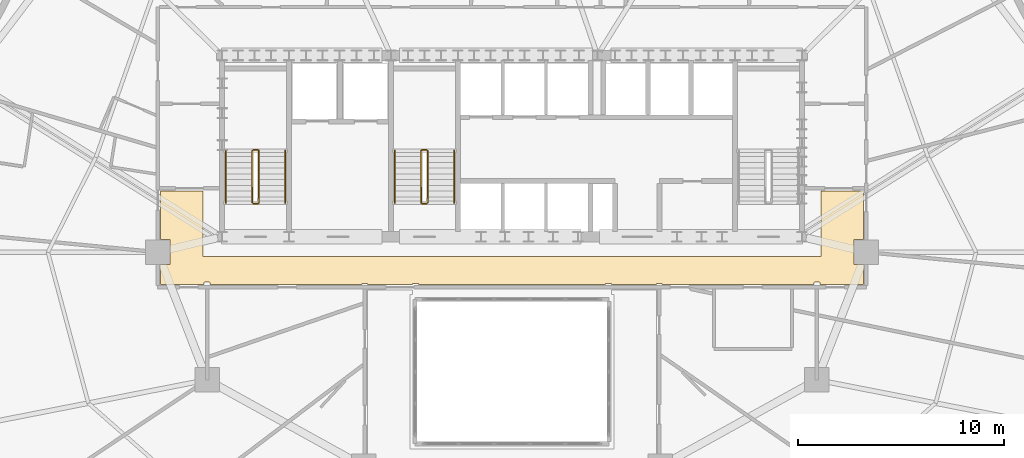
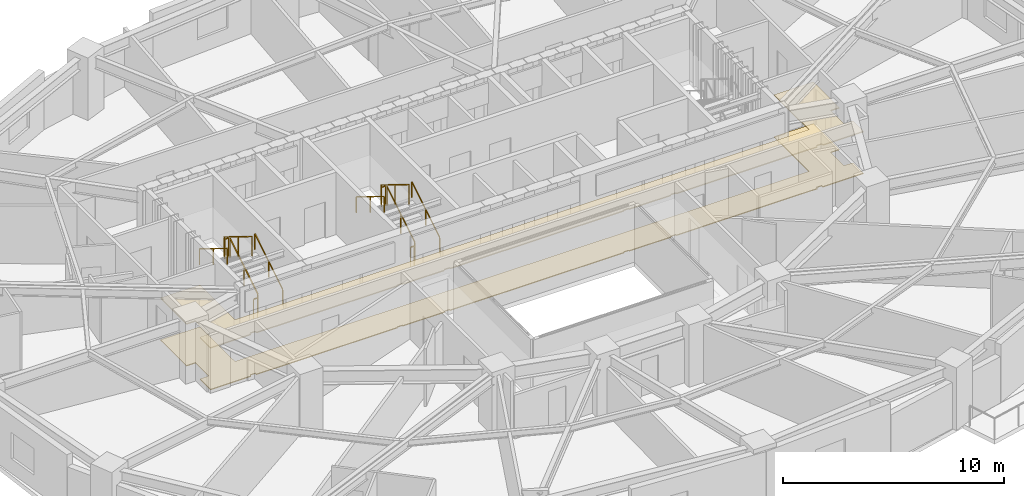
# One storey, part 13 of 14: 12 railings, 2 coverings.
"""IFC4 building model written with IfcOpenShell, lengths in metres."""

from ifc_helpers import new_model, si_unit, direction, frame, origin, origin_2d, place, context, subcontext, project, spatial, polyline, rectangle, outline, extrude, material, layer, layer_set, type_object, element, save


model = new_model("IFC4")

# Units and contexts
model_context = context("Model", 3, precision=1e-05, world=origin(), true_north=direction((0.0, 1.0)))
body_context = subcontext(model_context, "Body", "Model", "MODEL_VIEW")
ifc_project = project(units=[si_unit("LENGTHUNIT", "METRE"), si_unit("AREAUNIT", "SQUARE_METRE"), si_unit("VOLUMEUNIT", "CUBIC_METRE"), si_unit("PLANEANGLEUNIT", "RADIAN"), si_unit("MASSUNIT", "GRAM", prefix="KILO")], contexts=[model_context])

# Site, building, storey
site_placement = place(None, origin())
site = spatial("IfcSite", under=ifc_project, at=site_placement, CompositionType="ELEMENT")
building_placement = place(site_placement, origin())
building = spatial("IfcBuilding", under=site, at=building_placement, Name="Haldorwick Loom Tower", CompositionType="ELEMENT")
storey_placement = place(building_placement, frame((0.0, 0.0, 99.050048828125)))
storey = spatial("IfcBuildingStorey", under=building, at=storey_placement, Name="L26", CompositionType="ELEMENT", Elevation=99.050048828125)

# Coverings
ifc_material_1 = material(Name="Mineral Fibre Acoustic Ceiling Tile")
ifc_layer_1 = layer(ifc_material_1, 0.054931640625, Name="Mineral Fibre Acoustic Ceiling Tile")
ifc_layer_set_1 = layer_set([ifc_layer_1], Name="Mineral Fibre Acoustic Ceiling Tile")
covering_type_1 = type_object("IfcCoveringType", Name="ARC-COV-CEIL2", PredefinedType="CEILING", material=ifc_layer_set_1)
covering_1_placement = place(storey_placement, frame((0.0, 0.0, 2.302001953125)))
element("IfcCovering", 1, at=covering_1_placement, inside=storey, type_object=covering_type_1, Name="L26 Acoustic Suspended Ceiling 2", PredefinedType="CEILING", context=body_context, shape_type="SweptSolid", body=[
    extrude(outline(polyline([(51.0, 28.9599609375), (51.0, 25.800048828125), (21.0, 25.800048828125), (21.0, 28.9599609375), (18.93994140625, 28.9599609375), (18.93994140625, 26.60791015625), (19.407958984375, 26.60791015625), (19.407958984375, 25.39208984375), (18.93994140625, 25.39208984375), (18.93994140625, 24.43994140625), (21.06005859375, 24.43994140625), (21.06005859375, 24.52001953125), (21.06005859375, 24.52197265625), (21.060302734375, 24.52392578125), (21.060791015625, 24.52587890625), (21.0615234375, 24.527587890625), (21.0625, 24.529296875), (21.0634765625, 24.531005859375), (21.064453125, 24.53271484375), (21.06591796875, 24.5341796875), (21.0673828125, 24.535400390625), (21.06884765625, 24.53662109375), (21.070556640625, 24.53759765625), (21.072265625, 24.53857421875), (21.07421875, 24.5390625), (21.076171875, 24.53955078125), (21.077880859375, 24.539794921875), (21.080078125, 24.5400390625), (21.320068359375, 24.5400390625), (21.322021484375, 24.539794921875), (21.323974609375, 24.53955078125), (21.32568359375, 24.5390625), (21.32763671875, 24.53857421875), (21.329345703125, 24.53759765625), (21.3310546875, 24.53662109375), (21.332763671875, 24.535400390625), (21.333984375, 24.5341796875), (21.33544921875, 24.53271484375), (21.336669921875, 24.531005859375), (21.337646484375, 24.529296875), (21.33837890625, 24.527587890625), (21.339111328125, 24.52587890625), (21.339599609375, 24.52392578125), (21.33984375, 24.52197265625), (21.340087890625, 24.52001953125), (21.340087890625, 24.43994140625), (28.7099609375, 24.43994140625), (28.7099609375, 24.469970703125), (28.710205078125, 24.471923828125), (28.71044921875, 24.473876953125), (28.7109375, 24.475830078125), (28.71142578125, 24.477783203125), (28.71240234375, 24.4794921875), (28.71337890625, 24.481201171875), (28.714599609375, 24.482666015625), (28.7158203125, 24.484130859375), (28.71728515625, 24.485595703125), (28.718994140625, 24.486572265625), (28.720703125, 24.487548828125), (28.722412109375, 24.488525390625), (28.72412109375, 24.489013671875), (28.72607421875, 24.489501953125), (28.72802734375, 24.489990234375), (28.72998046875, 24.489990234375), (28.969970703125, 24.489990234375), (28.971923828125, 24.489990234375), (28.973876953125, 24.489501953125), (28.975830078125, 24.489013671875), (28.977783203125, 24.488525390625), (28.9794921875, 24.487548828125), (28.981201171875, 24.486572265625), (28.982666015625, 24.485595703125), (28.984130859375, 24.484130859375), (28.985595703125, 24.482666015625), (28.986572265625, 24.481201171875), (28.987548828125, 24.4794921875), (28.988525390625, 24.477783203125), (28.989013671875, 24.475830078125), (28.989501953125, 24.473876953125), (28.989990234375, 24.471923828125), (28.989990234375, 24.469970703125), (28.989990234375, 24.43994140625), (31.179931640625, 24.43994140625), (31.179931640625, 24.469970703125), (31.18017578125, 24.471923828125), (31.180419921875, 24.473876953125), (31.180908203125, 24.475830078125), (31.181396484375, 24.477783203125), (31.182373046875, 24.4794921875), (31.183349609375, 24.481201171875), (31.1845703125, 24.482666015625), (31.185791015625, 24.484130859375), (31.187255859375, 24.485595703125), (31.18896484375, 24.486572265625), (31.190673828125, 24.487548828125), (31.1923828125, 24.488525390625), (31.194091796875, 24.489013671875), (31.196044921875, 24.489501953125), (31.197998046875, 24.489990234375), (31.199951171875, 24.489990234375), (31.43994140625, 24.489990234375), (31.44189453125, 24.489990234375), (31.44384765625, 24.489501953125), (31.44580078125, 24.489013671875), (31.44775390625, 24.488525390625), (31.449462890625, 24.487548828125), (31.451171875, 24.486572265625), (31.45263671875, 24.485595703125), (31.4541015625, 24.484130859375), (31.45556640625, 24.482666015625), (31.45654296875, 24.481201171875), (31.45751953125, 24.4794921875), (31.45849609375, 24.477783203125), (31.458984375, 24.475830078125), (31.459716796875, 24.473876953125), (31.4599609375, 24.471923828125), (31.4599609375, 24.469970703125), (31.4599609375, 24.43994140625), (40.5400390625, 24.43994140625), (40.5400390625, 24.469970703125), (40.5400390625, 24.471923828125), (40.540283203125, 24.473876953125), (40.541015625, 24.475830078125), (40.54150390625, 24.477783203125), (40.54248046875, 24.4794921875), (40.54345703125, 24.481201171875), (40.54443359375, 24.482666015625), (40.5458984375, 24.484130859375), (40.54736328125, 24.485595703125), (40.548828125, 24.486572265625), (40.550537109375, 24.487548828125), (40.55224609375, 24.488525390625), (40.55419921875, 24.489013671875), (40.55615234375, 24.489501953125), (40.55810546875, 24.489990234375), (40.56005859375, 24.489990234375), (40.800048828125, 24.489990234375), (40.802001953125, 24.489990234375), (40.803955078125, 24.489501953125), (40.805908203125, 24.489013671875), (40.8076171875, 24.488525390625), (40.809326171875, 24.487548828125), (40.81103515625, 24.486572265625), (40.812744140625, 24.485595703125), (40.814208984375, 24.484130859375), (40.8154296875, 24.482666015625), (40.816650390625, 24.481201171875), (40.817626953125, 24.4794921875), (40.818603515625, 24.477783203125), (40.819091796875, 24.475830078125), (40.819580078125, 24.473876953125), (40.81982421875, 24.471923828125), (40.820068359375, 24.469970703125), (40.820068359375, 24.43994140625), (43.010009765625, 24.43994140625), (43.010009765625, 24.469970703125), (43.010009765625, 24.471923828125), (43.010498046875, 24.473876953125), (43.010986328125, 24.475830078125), (43.011474609375, 24.477783203125), (43.012451171875, 24.4794921875), (43.013427734375, 24.481201171875), (43.014404296875, 24.482666015625), (43.015869140625, 24.484130859375), (43.017333984375, 24.485595703125), (43.018798828125, 24.486572265625), (43.0205078125, 24.487548828125), (43.022216796875, 24.488525390625), (43.024169921875, 24.489013671875), (43.026123046875, 24.489501953125), (43.028076171875, 24.489990234375), (43.030029296875, 24.489990234375), (43.27001953125, 24.489990234375), (43.27197265625, 24.489990234375), (43.27392578125, 24.489501953125), (43.27587890625, 24.489013671875), (43.277587890625, 24.488525390625), (43.279296875, 24.487548828125), (43.281005859375, 24.486572265625), (43.28271484375, 24.485595703125), (43.2841796875, 24.484130859375), (43.285400390625, 24.482666015625), (43.28662109375, 24.481201171875), (43.28759765625, 24.4794921875), (43.28857421875, 24.477783203125), (43.2890625, 24.475830078125), (43.28955078125, 24.473876953125), (43.289794921875, 24.471923828125), (43.2900390625, 24.469970703125), (43.2900390625, 24.43994140625), (50.659912109375, 24.43994140625), (50.659912109375, 24.52001953125), (50.66015625, 24.52197265625), (50.660400390625, 24.52392578125), (50.660888671875, 24.52587890625), (50.66162109375, 24.527587890625), (50.662353515625, 24.529296875), (50.663330078125, 24.531005859375), (50.66455078125, 24.53271484375), (50.666015625, 24.5341796875), (50.667236328125, 24.535400390625), (50.6689453125, 24.53662109375), (50.670654296875, 24.53759765625), (50.67236328125, 24.53857421875), (50.67431640625, 24.5390625), (50.676025390625, 24.53955078125), (50.677978515625, 24.539794921875), (50.679931640625, 24.5400390625), (50.919921875, 24.5400390625), (50.922119140625, 24.539794921875), (50.923828125, 24.53955078125), (50.92578125, 24.5390625), (50.927734375, 24.53857421875), (50.929443359375, 24.53759765625), (50.93115234375, 24.53662109375), (50.9326171875, 24.535400390625), (50.93408203125, 24.5341796875), (50.935546875, 24.53271484375), (50.9365234375, 24.531005859375), (50.9375, 24.529296875), (50.9384765625, 24.527587890625), (50.939208984375, 24.52587890625), (50.939697265625, 24.52392578125), (50.93994140625, 24.52197265625), (50.93994140625, 24.52001953125), (50.93994140625, 24.43994140625), (53.06005859375, 24.43994140625), (53.06005859375, 25.39208984375), (52.592041015625, 25.39208984375), (52.592041015625, 26.60791015625), (53.06005859375, 26.60791015625), (53.06005859375, 28.9599609375), (51.0, 28.9599609375)])), origin(), (0.0, 0.0, 1.0), 0.054931640625),
])
ifc_material_2 = material(Name="Polished Aggregate Terrazzo Finish")
ifc_layer_2 = layer(ifc_material_2, 0.044921875, Name="Polished Aggregate Terrazzo Finish")
ifc_layer_set_2 = layer_set([ifc_layer_2], Name="Polished Aggregate Terrazzo Finish")
covering_type_2 = type_object("IfcCoveringType", Name="ARC-COV-FLOOR2", PredefinedType="FLOORING", material=ifc_layer_set_2)
covering_2_placement = place(storey_placement, origin())
element("IfcCovering", 2, at=covering_2_placement, inside=storey, type_object=covering_type_2, Name="L26 Floor Finish 2", PredefinedType="FLOORING", context=body_context, shape_type="SweptSolid", body=[
    extrude(outline(polyline([(51.0, 28.9599609375), (51.0, 25.800048828125), (21.0, 25.800048828125), (21.0, 28.9599609375), (18.93994140625, 28.9599609375), (18.93994140625, 26.60791015625), (19.407958984375, 26.60791015625), (19.407958984375, 25.39208984375), (18.93994140625, 25.39208984375), (18.93994140625, 24.43994140625), (21.06005859375, 24.43994140625), (21.06005859375, 24.52001953125), (21.06005859375, 24.52197265625), (21.060302734375, 24.52392578125), (21.060791015625, 24.52587890625), (21.0615234375, 24.527587890625), (21.0625, 24.529296875), (21.0634765625, 24.531005859375), (21.064453125, 24.53271484375), (21.06591796875, 24.5341796875), (21.0673828125, 24.535400390625), (21.06884765625, 24.53662109375), (21.070556640625, 24.53759765625), (21.072265625, 24.53857421875), (21.07421875, 24.5390625), (21.076171875, 24.53955078125), (21.077880859375, 24.539794921875), (21.080078125, 24.5400390625), (21.320068359375, 24.5400390625), (21.322021484375, 24.539794921875), (21.323974609375, 24.53955078125), (21.32568359375, 24.5390625), (21.32763671875, 24.53857421875), (21.329345703125, 24.53759765625), (21.3310546875, 24.53662109375), (21.332763671875, 24.535400390625), (21.333984375, 24.5341796875), (21.33544921875, 24.53271484375), (21.336669921875, 24.531005859375), (21.337646484375, 24.529296875), (21.33837890625, 24.527587890625), (21.339111328125, 24.52587890625), (21.339599609375, 24.52392578125), (21.33984375, 24.52197265625), (21.340087890625, 24.52001953125), (21.340087890625, 24.43994140625), (28.7099609375, 24.43994140625), (28.7099609375, 24.469970703125), (28.710205078125, 24.471923828125), (28.71044921875, 24.473876953125), (28.7109375, 24.475830078125), (28.71142578125, 24.477783203125), (28.71240234375, 24.4794921875), (28.71337890625, 24.481201171875), (28.714599609375, 24.482666015625), (28.7158203125, 24.484130859375), (28.71728515625, 24.485595703125), (28.718994140625, 24.486572265625), (28.720703125, 24.487548828125), (28.722412109375, 24.488525390625), (28.72412109375, 24.489013671875), (28.72607421875, 24.489501953125), (28.72802734375, 24.489990234375), (28.72998046875, 24.489990234375), (28.969970703125, 24.489990234375), (28.971923828125, 24.489990234375), (28.973876953125, 24.489501953125), (28.975830078125, 24.489013671875), (28.977783203125, 24.488525390625), (28.9794921875, 24.487548828125), (28.981201171875, 24.486572265625), (28.982666015625, 24.485595703125), (28.984130859375, 24.484130859375), (28.985595703125, 24.482666015625), (28.986572265625, 24.481201171875), (28.987548828125, 24.4794921875), (28.988525390625, 24.477783203125), (28.989013671875, 24.475830078125), (28.989501953125, 24.473876953125), (28.989990234375, 24.471923828125), (28.989990234375, 24.469970703125), (28.989990234375, 24.43994140625), (31.179931640625, 24.43994140625), (31.179931640625, 24.469970703125), (31.18017578125, 24.471923828125), (31.180419921875, 24.473876953125), (31.180908203125, 24.475830078125), (31.181396484375, 24.477783203125), (31.182373046875, 24.4794921875), (31.183349609375, 24.481201171875), (31.1845703125, 24.482666015625), (31.185791015625, 24.484130859375), (31.187255859375, 24.485595703125), (31.18896484375, 24.486572265625), (31.190673828125, 24.487548828125), (31.1923828125, 24.488525390625), (31.194091796875, 24.489013671875), (31.196044921875, 24.489501953125), (31.197998046875, 24.489990234375), (31.199951171875, 24.489990234375), (31.43994140625, 24.489990234375), (31.44189453125, 24.489990234375), (31.44384765625, 24.489501953125), (31.44580078125, 24.489013671875), (31.44775390625, 24.488525390625), (31.449462890625, 24.487548828125), (31.451171875, 24.486572265625), (31.45263671875, 24.485595703125), (31.4541015625, 24.484130859375), (31.45556640625, 24.482666015625), (31.45654296875, 24.481201171875), (31.45751953125, 24.4794921875), (31.45849609375, 24.477783203125), (31.458984375, 24.475830078125), (31.459716796875, 24.473876953125), (31.4599609375, 24.471923828125), (31.4599609375, 24.469970703125), (31.4599609375, 24.43994140625), (40.5400390625, 24.43994140625), (40.5400390625, 24.469970703125), (40.5400390625, 24.471923828125), (40.540283203125, 24.473876953125), (40.541015625, 24.475830078125), (40.54150390625, 24.477783203125), (40.54248046875, 24.4794921875), (40.54345703125, 24.481201171875), (40.54443359375, 24.482666015625), (40.5458984375, 24.484130859375), (40.54736328125, 24.485595703125), (40.548828125, 24.486572265625), (40.550537109375, 24.487548828125), (40.55224609375, 24.488525390625), (40.55419921875, 24.489013671875), (40.55615234375, 24.489501953125), (40.55810546875, 24.489990234375), (40.56005859375, 24.489990234375), (40.800048828125, 24.489990234375), (40.802001953125, 24.489990234375), (40.803955078125, 24.489501953125), (40.805908203125, 24.489013671875), (40.8076171875, 24.488525390625), (40.809326171875, 24.487548828125), (40.81103515625, 24.486572265625), (40.812744140625, 24.485595703125), (40.814208984375, 24.484130859375), (40.8154296875, 24.482666015625), (40.816650390625, 24.481201171875), (40.817626953125, 24.4794921875), (40.818603515625, 24.477783203125), (40.819091796875, 24.475830078125), (40.819580078125, 24.473876953125), (40.81982421875, 24.471923828125), (40.820068359375, 24.469970703125), (40.820068359375, 24.43994140625), (43.010009765625, 24.43994140625), (43.010009765625, 24.469970703125), (43.010009765625, 24.471923828125), (43.010498046875, 24.473876953125), (43.010986328125, 24.475830078125), (43.011474609375, 24.477783203125), (43.012451171875, 24.4794921875), (43.013427734375, 24.481201171875), (43.014404296875, 24.482666015625), (43.015869140625, 24.484130859375), (43.017333984375, 24.485595703125), (43.018798828125, 24.486572265625), (43.0205078125, 24.487548828125), (43.022216796875, 24.488525390625), (43.024169921875, 24.489013671875), (43.026123046875, 24.489501953125), (43.028076171875, 24.489990234375), (43.030029296875, 24.489990234375), (43.27001953125, 24.489990234375), (43.27197265625, 24.489990234375), (43.27392578125, 24.489501953125), (43.27587890625, 24.489013671875), (43.277587890625, 24.488525390625), (43.279296875, 24.487548828125), (43.281005859375, 24.486572265625), (43.28271484375, 24.485595703125), (43.2841796875, 24.484130859375), (43.285400390625, 24.482666015625), (43.28662109375, 24.481201171875), (43.28759765625, 24.4794921875), (43.28857421875, 24.477783203125), (43.2890625, 24.475830078125), (43.28955078125, 24.473876953125), (43.289794921875, 24.471923828125), (43.2900390625, 24.469970703125), (43.2900390625, 24.43994140625), (50.659912109375, 24.43994140625), (50.659912109375, 24.52001953125), (50.66015625, 24.52197265625), (50.660400390625, 24.52392578125), (50.660888671875, 24.52587890625), (50.66162109375, 24.527587890625), (50.662353515625, 24.529296875), (50.663330078125, 24.531005859375), (50.66455078125, 24.53271484375), (50.666015625, 24.5341796875), (50.667236328125, 24.535400390625), (50.6689453125, 24.53662109375), (50.670654296875, 24.53759765625), (50.67236328125, 24.53857421875), (50.67431640625, 24.5390625), (50.676025390625, 24.53955078125), (50.677978515625, 24.539794921875), (50.679931640625, 24.5400390625), (50.919921875, 24.5400390625), (50.922119140625, 24.539794921875), (50.923828125, 24.53955078125), (50.92578125, 24.5390625), (50.927734375, 24.53857421875), (50.929443359375, 24.53759765625), (50.93115234375, 24.53662109375), (50.9326171875, 24.535400390625), (50.93408203125, 24.5341796875), (50.935546875, 24.53271484375), (50.9365234375, 24.531005859375), (50.9375, 24.529296875), (50.9384765625, 24.527587890625), (50.939208984375, 24.52587890625), (50.939697265625, 24.52392578125), (50.93994140625, 24.52197265625), (50.93994140625, 24.52001953125), (50.93994140625, 24.43994140625), (53.06005859375, 24.43994140625), (53.06005859375, 25.39208984375), (52.592041015625, 25.39208984375), (52.592041015625, 26.60791015625), (53.06005859375, 26.60791015625), (53.06005859375, 28.9599609375), (51.0, 28.9599609375)])), origin(), (0.0, 0.0, 1.0), 0.044921875),
])

# Railings
ifc_material_3 = material(Name="Steel CSA G40.21 350W", Category="steel")
railing_type_1 = type_object("IfcRailingType", Name="ARC-RLG-GUARD112", PredefinedType="GUARDRAIL", material=ifc_material_3)
railing_1_placement = place(storey_placement, frame((23.699951171875, 28.39990234375, 0.17236328125)))
element("IfcRailing", 3, at=railing_1_placement, inside=storey, type_object=railing_type_1, Name="L26 ST-01 stair guard 1", PredefinedType="GUARDRAIL", context=body_context, shape_type="SweptSolid", body=[
    extrude(rectangle(XDim=0.048095703125, YDim=0.048095703125, at=origin_2d()), frame((0.0, 0.0, 1.076171875), z_axis=(0.0, 0.851400495292, 0.524516154772), x_axis=(-1.0, 0.0, 0.0)), (0.0, 0.0, 1.0), 2.9599609375),
    extrude(rectangle(XDim=0.0419921875, YDim=0.0419921875, at=origin_2d()), origin(), (0.0, 0.0, 1.0), 1.052001953125),
    extrude(rectangle(XDim=0.0419921875, YDim=0.0419921875, at=origin_2d()), frame((0.0, 1.260009765625, 0.7763671875)), (0.0, 0.0, 1.0), 1.052001953125),
    extrude(rectangle(XDim=0.0419921875, YDim=0.0419921875, at=origin_2d()), frame((0.0, 2.52001953125, 1.552490234375)), (0.0, 0.0, 1.0), 1.052001953125),
])
railing_2_placement = place(storey_placement, frame((23.64990234375, 30.969970703125, 1.724853515625)))
element("IfcRailing", 4, at=railing_2_placement, inside=storey, type_object=railing_type_1, Name="L26 ST-01 stair guard 2", PredefinedType="GUARDRAIL", context=body_context, shape_type="SweptSolid", body=[
    extrude(rectangle(XDim=0.048095703125, YDim=0.048095703125, at=origin_2d()), frame((0.0, 0.0, 1.076171875), z_axis=(-1.0, 0.0, 0.0), x_axis=(0.0, -1.0, 0.0)), (0.0, 0.0, 1.0), 0.199951171875),
    extrude(rectangle(XDim=0.0419921875, YDim=0.0419921875, at=origin_2d()), origin(), (0.0, 0.0, 1.0), 1.052001953125),
    extrude(rectangle(XDim=0.0419921875, YDim=0.0419921875, at=origin_2d()), frame((-0.199951171875, 0.0, 0.0)), (0.0, 0.0, 1.0), 1.052001953125),
])
railing_3_placement = place(storey_placement, frame((23.39990234375, 30.919921875, 1.8974609375)))
element("IfcRailing", 5, at=railing_3_placement, inside=storey, type_object=railing_type_1, Name="L26 ST-01 stair guard 3", PredefinedType="GUARDRAIL", context=body_context, shape_type="SweptSolid", body=[
    extrude(rectangle(XDim=0.048095703125, YDim=0.048095703125, at=origin_2d()), frame((0.0, 0.0, 1.076171875), z_axis=(0.0, -0.851400495292, 0.524516154772), x_axis=(1.0, 0.0, 0.0)), (0.0, 0.0, 1.0), 2.9599609375),
    extrude(rectangle(XDim=0.0419921875, YDim=0.0419921875, at=origin_2d()), origin(), (0.0, 0.0, 1.0), 1.052001953125),
    extrude(rectangle(XDim=0.0419921875, YDim=0.0419921875, at=origin_2d()), frame((0.0, -1.260009765625, 0.7763671875)), (0.0, 0.0, 1.0), 1.052001953125),
    extrude(rectangle(XDim=0.0419921875, YDim=0.0419921875, at=origin_2d()), frame((0.0, -2.52001953125, 1.552490234375)), (0.0, 0.0, 1.0), 1.052001953125),
])
railing_4_placement = place(storey_placement, frame((23.64990234375, 28.35009765625, 0.0)))
element("IfcRailing", 6, at=railing_4_placement, inside=storey, type_object=railing_type_1, Name="L26 ST-01 stair guard 4", PredefinedType="GUARDRAIL", context=body_context, shape_type="SweptSolid", body=[
    extrude(rectangle(XDim=0.048095703125, YDim=0.048095703125, at=origin_2d()), frame((0.0, 0.0, 1.076171875), z_axis=(-1.0, 0.0, 0.0), x_axis=(0.0, -1.0, 0.0)), (0.0, 0.0, 1.0), 0.199951171875),
    extrude(rectangle(XDim=0.0419921875, YDim=0.0419921875, at=origin_2d()), origin(), (0.0, 0.0, 1.0), 1.052001953125),
    extrude(rectangle(XDim=0.0419921875, YDim=0.0419921875, at=origin_2d()), frame((-0.199951171875, 0.0, 0.0)), (0.0, 0.0, 1.0), 1.052001953125),
])
railing_5_placement = place(storey_placement, frame((31.89990234375, 28.39990234375, 0.17236328125)))
element("IfcRailing", 7, at=railing_5_placement, inside=storey, type_object=railing_type_1, Name="L26 ST-03 stair guard 1", PredefinedType="GUARDRAIL", context=body_context, shape_type="SweptSolid", body=[
    extrude(rectangle(XDim=0.048095703125, YDim=0.048095703125, at=origin_2d()), frame((0.0, 0.0, 1.076171875), z_axis=(0.0, 0.851400495292, 0.524516154772), x_axis=(-1.0, 0.0, 0.0)), (0.0, 0.0, 1.0), 2.9599609375),
    extrude(rectangle(XDim=0.0419921875, YDim=0.0419921875, at=origin_2d()), origin(), (0.0, 0.0, 1.0), 1.052001953125),
    extrude(rectangle(XDim=0.0419921875, YDim=0.0419921875, at=origin_2d()), frame((0.0, 1.260009765625, 0.7763671875)), (0.0, 0.0, 1.0), 1.052001953125),
    extrude(rectangle(XDim=0.0419921875, YDim=0.0419921875, at=origin_2d()), frame((0.0, 2.52001953125, 1.552490234375)), (0.0, 0.0, 1.0), 1.052001953125),
])
railing_6_placement = place(storey_placement, frame((31.85009765625, 30.969970703125, 1.724853515625)))
element("IfcRailing", 8, at=railing_6_placement, inside=storey, type_object=railing_type_1, Name="L26 ST-03 stair guard 2", PredefinedType="GUARDRAIL", context=body_context, shape_type="SweptSolid", body=[
    extrude(rectangle(XDim=0.048095703125, YDim=0.048095703125, at=origin_2d()), frame((0.0, 0.0, 1.076171875), z_axis=(-1.0, 0.0, 0.0), x_axis=(0.0, -1.0, 0.0)), (0.0, 0.0, 1.0), 0.2001953125),
    extrude(rectangle(XDim=0.0419921875, YDim=0.0419921875, at=origin_2d()), origin(), (0.0, 0.0, 1.0), 1.052001953125),
    extrude(rectangle(XDim=0.0419921875, YDim=0.0419921875, at=origin_2d()), frame((-0.2001953125, 0.0, 0.0)), (0.0, 0.0, 1.0), 1.052001953125),
])
railing_7_placement = place(storey_placement, frame((31.60009765625, 30.919921875, 1.8974609375)))
element("IfcRailing", 9, at=railing_7_placement, inside=storey, type_object=railing_type_1, Name="L26 ST-03 stair guard 3", PredefinedType="GUARDRAIL", context=body_context, shape_type="SweptSolid", body=[
    extrude(rectangle(XDim=0.048095703125, YDim=0.048095703125, at=origin_2d()), frame((0.0, 0.0, 1.076171875), z_axis=(0.0, -0.851400495292, 0.524516154772), x_axis=(1.0, 0.0, 0.0)), (0.0, 0.0, 1.0), 2.9599609375),
    extrude(rectangle(XDim=0.0419921875, YDim=0.0419921875, at=origin_2d()), origin(), (0.0, 0.0, 1.0), 1.052001953125),
    extrude(rectangle(XDim=0.0419921875, YDim=0.0419921875, at=origin_2d()), frame((0.0, -1.260009765625, 0.7763671875)), (0.0, 0.0, 1.0), 1.052001953125),
    extrude(rectangle(XDim=0.0419921875, YDim=0.0419921875, at=origin_2d()), frame((0.0, -2.52001953125, 1.552490234375)), (0.0, 0.0, 1.0), 1.052001953125),
])
railing_8_placement = place(storey_placement, frame((31.85009765625, 28.35009765625, 0.0)))
element("IfcRailing", 10, at=railing_8_placement, inside=storey, type_object=railing_type_1, Name="L26 ST-03 stair guard 4", PredefinedType="GUARDRAIL", context=body_context, shape_type="SweptSolid", body=[
    extrude(rectangle(XDim=0.048095703125, YDim=0.048095703125, at=origin_2d()), frame((0.0, 0.0, 1.076171875), z_axis=(-1.0, 0.0, 0.0), x_axis=(0.0, -1.0, 0.0)), (0.0, 0.0, 1.0), 0.2001953125),
    extrude(rectangle(XDim=0.0419921875, YDim=0.0419921875, at=origin_2d()), origin(), (0.0, 0.0, 1.0), 1.052001953125),
    extrude(rectangle(XDim=0.0419921875, YDim=0.0419921875, at=origin_2d()), frame((-0.2001953125, 0.0, 0.0)), (0.0, 0.0, 1.0), 1.052001953125),
])
railing_type_2 = type_object("IfcRailingType", Name="ARC-RLG-HAND092", PredefinedType="HANDRAIL", material=ifc_material_3)
railing_9_placement = place(storey_placement, frame((25.0, 28.39990234375, 0.17236328125)))
element("IfcRailing", 11, at=railing_9_placement, inside=storey, type_object=railing_type_2, Name="L26 ST-01 stair handrail 1", PredefinedType="HANDRAIL", context=body_context, shape_type="SweptSolid", body=[
    extrude(rectangle(XDim=0.048095703125, YDim=0.048095703125, at=origin_2d()), frame((0.0, 0.0, 0.8759765625), z_axis=(0.0, 0.851400495292, 0.524516154772), x_axis=(-1.0, 0.0, 0.0)), (0.0, 0.0, 1.0), 2.9599609375),
    extrude(rectangle(XDim=0.0419921875, YDim=0.0419921875, at=origin_2d()), origin(), (0.0, 0.0, 1.0), 0.851806640625),
    extrude(rectangle(XDim=0.0419921875, YDim=0.0419921875, at=origin_2d()), frame((0.0, 1.260009765625, 0.7763671875)), (0.0, 0.0, 1.0), 0.851806640625),
    extrude(rectangle(XDim=0.0419921875, YDim=0.0419921875, at=origin_2d()), frame((0.0, 2.52001953125, 1.552490234375)), (0.0, 0.0, 1.0), 0.851806640625),
])
railing_10_placement = place(storey_placement, frame((22.10009765625, 30.919921875, 1.8974609375)))
element("IfcRailing", 12, at=railing_10_placement, inside=storey, type_object=railing_type_2, Name="L26 ST-01 stair handrail 2", PredefinedType="HANDRAIL", context=body_context, shape_type="SweptSolid", body=[
    extrude(rectangle(XDim=0.048095703125, YDim=0.048095703125, at=origin_2d()), frame((0.0, 0.0, 0.8759765625), z_axis=(0.0, -0.851400495292, 0.524516154772), x_axis=(1.0, 0.0, 0.0)), (0.0, 0.0, 1.0), 2.9599609375),
    extrude(rectangle(XDim=0.0419921875, YDim=0.0419921875, at=origin_2d()), origin(), (0.0, 0.0, 1.0), 0.851806640625),
    extrude(rectangle(XDim=0.0419921875, YDim=0.0419921875, at=origin_2d()), frame((0.0, -1.260009765625, 0.7763671875)), (0.0, 0.0, 1.0), 0.851806640625),
    extrude(rectangle(XDim=0.0419921875, YDim=0.0419921875, at=origin_2d()), frame((0.0, -2.52001953125, 1.552490234375)), (0.0, 0.0, 1.0), 0.851806640625),
])
railing_11_placement = place(storey_placement, frame((33.199951171875, 28.39990234375, 0.17236328125)))
element("IfcRailing", 13, at=railing_11_placement, inside=storey, type_object=railing_type_2, Name="L26 ST-03 stair handrail 1", PredefinedType="HANDRAIL", context=body_context, shape_type="SweptSolid", body=[
    extrude(rectangle(XDim=0.048095703125, YDim=0.048095703125, at=origin_2d()), frame((0.0, 0.0, 0.8759765625), z_axis=(0.0, 0.851400495292, 0.524516154772), x_axis=(-1.0, 0.0, 0.0)), (0.0, 0.0, 1.0), 2.9599609375),
    extrude(rectangle(XDim=0.0419921875, YDim=0.0419921875, at=origin_2d()), origin(), (0.0, 0.0, 1.0), 0.851806640625),
    extrude(rectangle(XDim=0.0419921875, YDim=0.0419921875, at=origin_2d()), frame((0.0, 1.260009765625, 0.7763671875)), (0.0, 0.0, 1.0), 0.851806640625),
    extrude(rectangle(XDim=0.0419921875, YDim=0.0419921875, at=origin_2d()), frame((0.0, 2.52001953125, 1.552490234375)), (0.0, 0.0, 1.0), 0.851806640625),
])
railing_12_placement = place(storey_placement, frame((30.300048828125, 30.919921875, 1.8974609375)))
element("IfcRailing", 14, at=railing_12_placement, inside=storey, type_object=railing_type_2, Name="L26 ST-03 stair handrail 2", PredefinedType="HANDRAIL", context=body_context, shape_type="SweptSolid", body=[
    extrude(rectangle(XDim=0.048095703125, YDim=0.048095703125, at=origin_2d()), frame((0.0, 0.0, 0.8759765625), z_axis=(0.0, -0.851400495292, 0.524516154772), x_axis=(1.0, 0.0, 0.0)), (0.0, 0.0, 1.0), 2.9599609375),
    extrude(rectangle(XDim=0.0419921875, YDim=0.0419921875, at=origin_2d()), origin(), (0.0, 0.0, 1.0), 0.851806640625),
    extrude(rectangle(XDim=0.0419921875, YDim=0.0419921875, at=origin_2d()), frame((0.0, -1.260009765625, 0.7763671875)), (0.0, 0.0, 1.0), 0.851806640625),
    extrude(rectangle(XDim=0.0419921875, YDim=0.0419921875, at=origin_2d()), frame((0.0, -2.52001953125, 1.552490234375)), (0.0, 0.0, 1.0), 0.851806640625),
])

save(model, "model.ifc")
